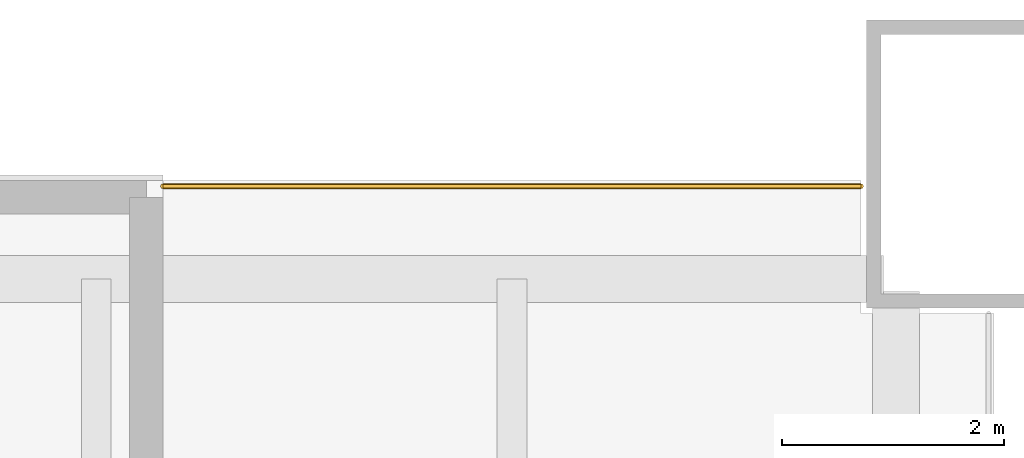
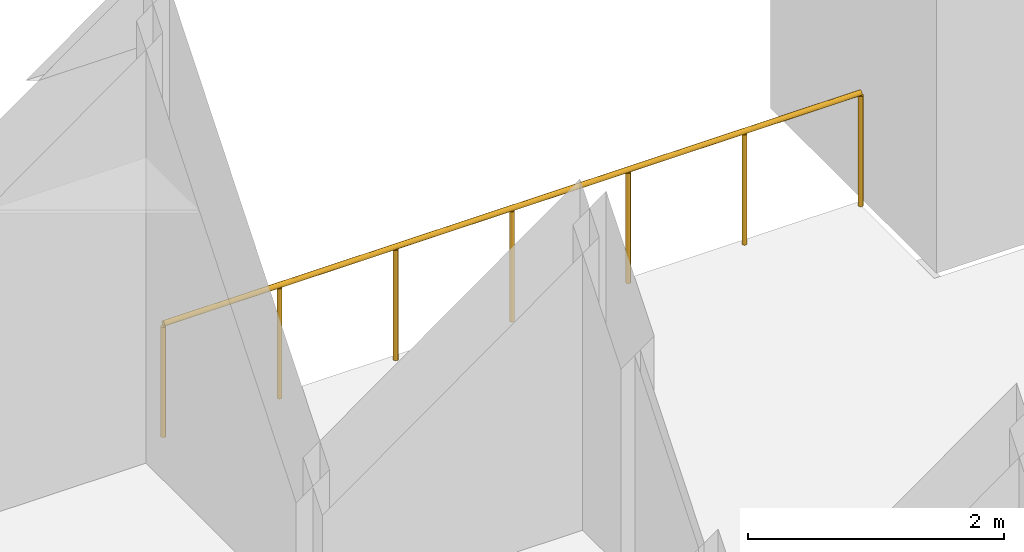
# One storey, part 7 of 7: 1 railing.
"""IFC4 building model written with IfcOpenShell, lengths in metres."""

import ifcopenshell
import ifcopenshell.guid

model = None  # the IFC model being written
_history = None  # IfcOwnerHistory: only IFC2X3 demands one
_inside = {}  # id of a spatial element -> (the spatial element, [elements in it])
_under = {}  # id of a project, library or spatial element -> (it, [spatial elements below it])
_declared = {}  # id of a project -> (the project, [libraries it declares])
_typed = {}  # id of a type object -> (the type object, [elements of that type])
_made_of = {}  # id of a material, layer set ... -> (it, [elements and type objects made of it])


def new_model(schema):
    """Start an empty IFC model of exactly this schema.

    Asked for "IFC4X3", IfcOpenShell would pick the latest addendum, in which some entities
    have other attributes; the version numbers below select the first issue.
    IFC2X3 requires an IfcOwnerHistory on every rooted entity: one is made here for all.
    """
    global model, _history
    if schema == "IFC4X3":
        model = ifcopenshell.file(schema_version=(4, 3, 0, 0))
    else:
        model = ifcopenshell.file(schema=schema)
    _inside.clear()
    _under.clear()
    _declared.clear()
    _typed.clear()
    _made_of.clear()
    _history = None
    if model.schema == "IFC2X3":
        org = make("IfcOrganization", Name="unknown")
        user = make(
            "IfcPersonAndOrganization",
            ThePerson=make("IfcPerson", FamilyName="unknown"),
            TheOrganization=org,
        )
        app = make(
            "IfcApplication",
            ApplicationDeveloper=org,
            Version="unknown",
            ApplicationFullName="unknown",
            ApplicationIdentifier="unknown",
        )
        _history = make(
            "IfcOwnerHistory",
            OwningUser=user,
            OwningApplication=app,
            ChangeAction="ADDED",
            CreationDate=0,
        )
    return model


def make(cls, **values):
    """One entity of the class cls with the attributes given. An attribute that is None is left unset."""
    return model.create_entity(
        cls, **{name: value for name, value in values.items() if value is not None}
    )


def rooted(cls, **values):
    """An entity with a GlobalId (a new one), such as an element, a storey or a relation."""
    return make(cls, GlobalId=ifcopenshell.guid.new(), OwnerHistory=_history, **values)


def si_unit(unit_type, name, prefix=None):
    """IfcSIUnit, for example si_unit("LENGTHUNIT", "METRE", prefix="MILLI")."""
    return make("IfcSIUnit", UnitType=unit_type, Prefix=prefix, Name=name)


def assignment(units):
    """IfcUnitAssignment: the units of a project."""
    return None if units is None else make("IfcUnitAssignment", Units=units)


def point(xyz):
    """IfcCartesianPoint."""
    return None if xyz is None else make("IfcCartesianPoint", Coordinates=xyz)


def direction(xyz):
    """IfcDirection."""
    return None if xyz is None else make("IfcDirection", DirectionRatios=xyz)


def frame(location, z_axis=None, x_axis=None):
    """IfcAxis2Placement3D, a coordinate frame: its origin and axes. An axis left out is left unset."""
    return make(
        "IfcAxis2Placement3D",
        Location=point(location),
        Axis=direction(z_axis),
        RefDirection=direction(x_axis),
    )


def frame_2d(location, x_axis=None):
    """IfcAxis2Placement2D, a coordinate frame in the plane: its origin and x axis."""
    return make(
        "IfcAxis2Placement2D", Location=point(location), RefDirection=direction(x_axis)
    )


def origin():
    """The frame at (0, 0, 0) with its axes left unset."""
    return frame((0.0, 0.0, 0.0))


def origin_2d():
    """The frame at (0, 0) in the plane with its x axis left unset."""
    return frame_2d((0.0, 0.0))


def place(relative_to, where):
    """IfcLocalPlacement: puts the frame where relative to a parent placement (None: the world)."""
    return make(
        "IfcLocalPlacement", PlacementRelTo=relative_to, RelativePlacement=where
    )


def context(
    kind, dimensions, precision=None, world=None, true_north=None, identifier=None
):
    """IfcGeometricRepresentationContext, for example the 3D "Model" context."""
    return make(
        "IfcGeometricRepresentationContext",
        ContextIdentifier=identifier,
        ContextType=kind,
        CoordinateSpaceDimension=dimensions,
        Precision=precision,
        WorldCoordinateSystem=world,
        TrueNorth=true_north,
    )


def subcontext(parent, identifier, kind, view, scale=None):
    """IfcGeometricRepresentationSubContext, for example "Body" below "Model"."""
    return make(
        "IfcGeometricRepresentationSubContext",
        ContextIdentifier=identifier,
        ContextType=kind,
        ParentContext=parent,
        TargetScale=scale,
        TargetView=view,
    )


def project(units=None, contexts=None):
    """IfcProject with its units and contexts."""
    return rooted(
        "IfcProject",
        Name="project",
        RepresentationContexts=contexts,
        UnitsInContext=assignment(units),
    )


def spatial(cls, under=None, at=None, **own):
    """A site, building, storey or space (cls), placed at a placement, below another one or the project."""
    s = rooted(cls, ObjectPlacement=at, **own)
    if under is not None:
        _under.setdefault(under.id(), (under, []))[1].append(s)
    return s


def profile(cls, at=None, kind="AREA", **sizes):
    """A parametric profile (cls). Its sizes go by their IFC names, for example OverallWidth=200.0."""
    return make(cls, ProfileType=kind, Position=at, **sizes)


def circle(**sizes):
    """IfcCircleProfileDef."""
    return profile("IfcCircleProfileDef", **sizes)


def extrude(swept, where, along, depth):
    """IfcExtrudedAreaSolid: the profile swept, set in the frame where, extruded along a direction by depth."""
    return make(
        "IfcExtrudedAreaSolid",
        SweptArea=swept,
        Position=where,
        ExtrudedDirection=direction(along),
        Depth=depth,
    )


def shape(context_of_items, identifier, shape_type, items):
    """IfcShapeRepresentation: the items that make up one representation, for example the "Body"."""
    return make(
        "IfcShapeRepresentation",
        ContextOfItems=context_of_items,
        RepresentationIdentifier=identifier,
        RepresentationType=shape_type,
        Items=items,
    )


def material(Name=None, Category=None):
    """IfcMaterial."""
    return make("IfcMaterial", Name=Name, Category=Category)


def made_of(thing, what):
    """Note that an element or type object is made of a material, layer set ...; save() writes the relation."""
    if what is not None:
        _made_of.setdefault(what.id(), (what, []))[1].append(thing)
    return thing


def type_object(cls, material=None, **own):
    """A type object (cls), such as IfcWallType, which elements share."""
    return made_of(rooted(cls, **own), material)


def element(
    cls,
    number,
    at=None,
    inside=None,
    cuts=None,
    type_object=None,
    material=None,
    context=None,
    identifier="Body",
    shape_type=None,
    held_by="IfcProductDefinitionShape",
    body=None,
    shapes=None,
    **own,
):
    """One element of the class cls, such as IfcWall. Its Tag is "e" and its number.

    at: its placement. inside: the storey or other place that contains it. cuts: it is an
    opening in that element (IfcRelVoidsElement). A single representation is given by context,
    identifier, shape_type and body (its items); several are given by shapes. held_by: the class
    of the entity that holds the representations. save() writes the other relations.
    """
    e = rooted(cls, Tag="e%d" % number, ObjectPlacement=at, **own)
    if body is not None:
        shapes = [shape(context, identifier, shape_type, body)]
    if shapes is not None:
        e.Representation = make(held_by, Representations=shapes)
    if inside is not None:
        _inside.setdefault(inside.id(), (inside, []))[1].append(e)
    if cuts is not None:
        rooted(
            "IfcRelVoidsElement", RelatingBuildingElement=cuts, RelatedOpeningElement=e
        )
    if type_object is not None:
        _typed.setdefault(type_object.id(), (type_object, []))[1].append(e)
    return made_of(e, material)


def aggregate(whole, parts):
    """IfcRelAggregates: a whole, such as a stair, and the parts it consists of."""
    return rooted("IfcRelAggregates", RelatingObject=whole, RelatedObjects=parts)


def save(model, path):
    """Write the relations noted so far, then the file.

    IfcRelAggregates (storeys below a building ...), IfcRelContainedInSpatialStructure (elements
    in a storey), IfcRelDefinesByType, IfcRelAssociatesMaterial and IfcRelDeclares: one each for
    every whole, place, type object, material and project.
    """
    for whole, parts in _under.values():
        aggregate(whole, parts)
    for where, things in _inside.values():
        rooted(
            "IfcRelContainedInSpatialStructure",
            RelatedElements=things,
            RelatingStructure=where,
        )
    for kind, things in _typed.values():
        rooted("IfcRelDefinesByType", RelatedObjects=things, RelatingType=kind)
    for what, things in _made_of.values():
        rooted("IfcRelAssociatesMaterial", RelatedObjects=things, RelatingMaterial=what)
    for by, libraries in _declared.values():
        rooted("IfcRelDeclares", RelatingContext=by, RelatedDefinitions=libraries)
    model.write(path)


model = new_model("IFC4")

# Units and contexts
model_context = context("Model", 3, precision=1e-05, world=origin(), true_north=direction((0.0, 1.0)))
body_context = subcontext(model_context, "Body", "Model", "MODEL_VIEW")
ifc_project = project(units=[si_unit("LENGTHUNIT", "METRE"), si_unit("AREAUNIT", "SQUARE_METRE"), si_unit("VOLUMEUNIT", "CUBIC_METRE"), si_unit("PLANEANGLEUNIT", "RADIAN"), si_unit("MASSUNIT", "GRAM", prefix="KILO")], contexts=[model_context])

# Site, building, storey
site_placement = place(None, origin())
site = spatial("IfcSite", under=ifc_project, at=site_placement, CompositionType="ELEMENT")
building_placement = place(site_placement, origin())
building = spatial("IfcBuilding", under=site, at=building_placement, Name="Tarangal Relay Tower", CompositionType="ELEMENT")
storey_placement = place(building_placement, frame((0.0, 0.0, 162.89990234375)))
storey = spatial("IfcBuildingStorey", under=building, at=storey_placement, Name="L33", CompositionType="ELEMENT", Elevation=162.89990234375)

# Railing
ifc_material = material(Name="Black steel guard with glass infill", Category="steel")
railing_type = type_object("IfcRailingType", Name="Terrace guard 1100", PredefinedType="GUARDRAIL", material=ifc_material)
railing_placement = place(storey_placement, frame((16.35009765625, 23.800048828125, 0.0)))
element("IfcRailing", 1, at=railing_placement, inside=storey, type_object=railing_type, Name="Terrace guard GR2 NE L33", PredefinedType="GUARDRAIL", context=body_context, shape_type="SweptSolid", body=[
    extrude(circle(Radius=0.02392578125, at=origin_2d()), frame((0.0, 0.0, 1.076171875), z_axis=(1.0, 0.0, 0.0), x_axis=(0.0, 1.0, 0.0)), (0.0, 0.0, 1.0), 6.2998046875),
    extrude(circle(Radius=0.02099609375, at=origin_2d()), origin(), (0.0, 0.0, 1.0), 1.052001953125),
    extrude(circle(Radius=0.02099609375, at=origin_2d()), frame((1.050048828125, 0.0, 0.0)), (0.0, 0.0, 1.0), 1.052001953125),
    extrude(circle(Radius=0.02099609375, at=origin_2d()), frame((2.099853515625, 0.0, 0.0)), (0.0, 0.0, 1.0), 1.052001953125),
    extrude(circle(Radius=0.02099609375, at=origin_2d()), frame((3.14990234375, 0.0, 0.0)), (0.0, 0.0, 1.0), 1.052001953125),
    extrude(circle(Radius=0.02099609375, at=origin_2d()), frame((4.199951171875, 0.0, 0.0)), (0.0, 0.0, 1.0), 1.052001953125),
    extrude(circle(Radius=0.02099609375, at=origin_2d()), frame((5.249755859375, 0.0, 0.0)), (0.0, 0.0, 1.0), 1.052001953125),
    extrude(circle(Radius=0.02099609375, at=origin_2d()), frame((6.2998046875, 0.0, 0.0)), (0.0, 0.0, 1.0), 1.052001953125),
])

save(model, "model.ifc")
